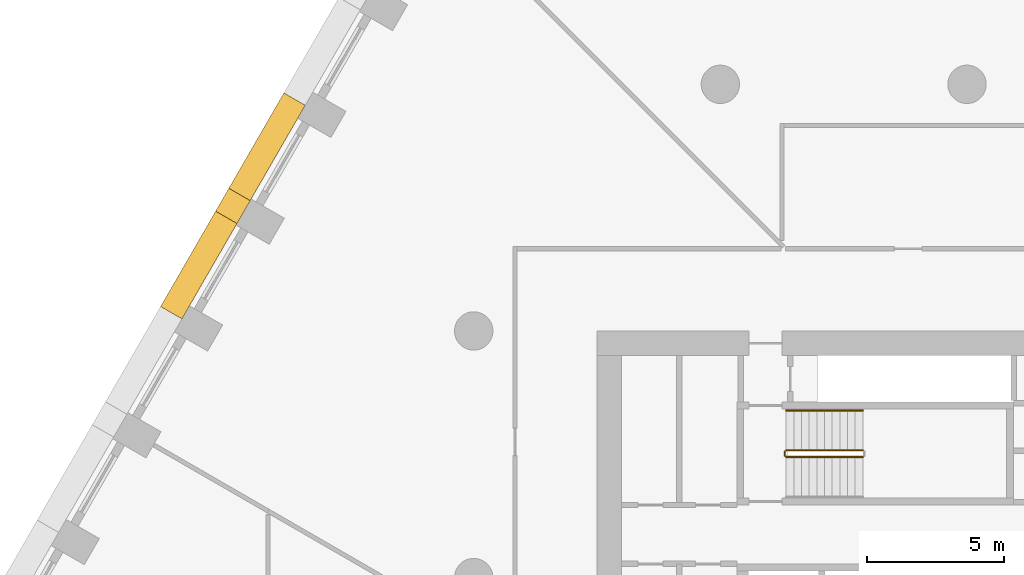
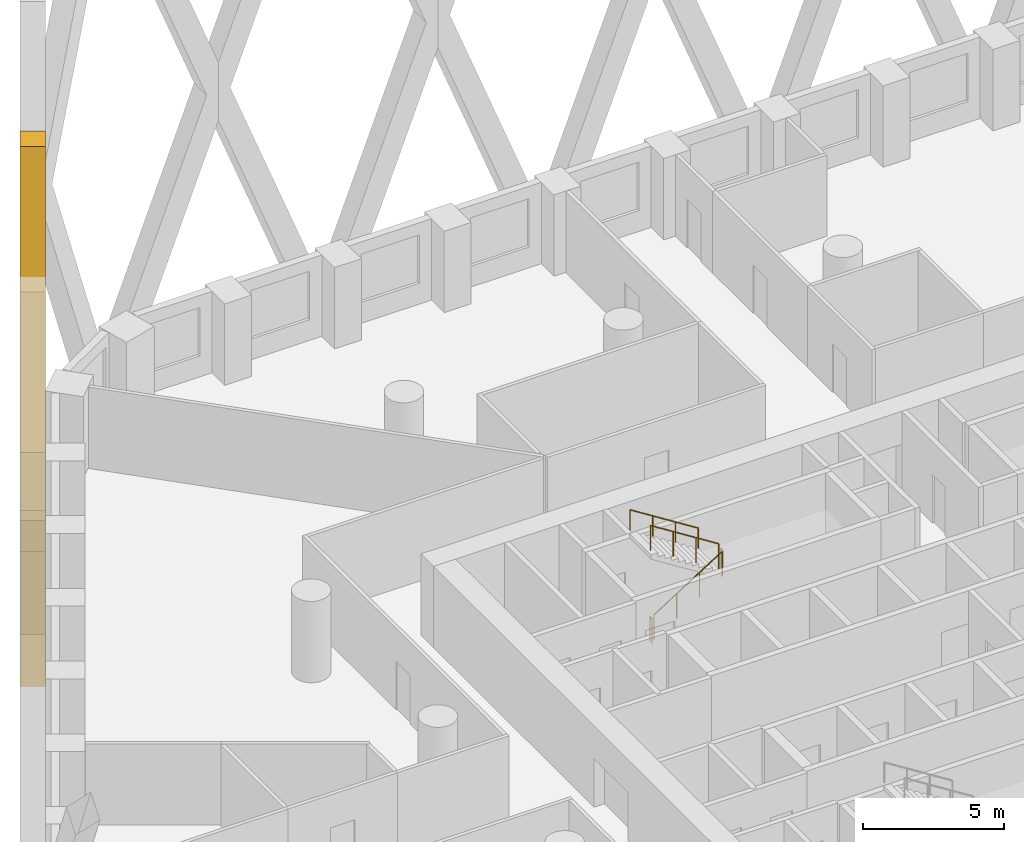
# One storey, part 15 of 18: 4 railings, 1 covering.
"""IFC4 building model written with IfcOpenShell, lengths in metres."""

from ifc_helpers import new_model, si_unit, direction, frame, origin, origin_2d, place, context, subcontext, project, spatial, polyline, circle, outline, extrude, material, type_object, element, save


model = new_model("IFC4")

# Units and contexts
model_context = context("Model", 3, precision=1e-05, world=origin(), true_north=direction((0.0, 1.0)))
body_context = subcontext(model_context, "Body", "Model", "MODEL_VIEW")
ifc_project = project(units=[si_unit("LENGTHUNIT", "METRE"), si_unit("AREAUNIT", "SQUARE_METRE"), si_unit("VOLUMEUNIT", "CUBIC_METRE"), si_unit("PLANEANGLEUNIT", "RADIAN"), si_unit("MASSUNIT", "GRAM", prefix="KILO")], contexts=[model_context])

# Site, building, storey
site_placement = place(None, origin())
site = spatial("IfcSite", under=ifc_project, at=site_placement, CompositionType="ELEMENT")
building_placement = place(site_placement, origin())
building = spatial("IfcBuilding", under=site, at=building_placement, Name="Dhurran Vertical Campus", CompositionType="ELEMENT")
storey_placement = place(building_placement, frame((0.0, 0.0, 53.39990234375)))
storey = spatial("IfcBuildingStorey", under=building, at=storey_placement, Name="L12", CompositionType="ELEMENT", Elevation=53.39990234375)

# Covering
ifc_material_1 = material(Name="Precast concrete C50/60", Category="concrete")
covering_type = type_object("IfcCoveringType", Name="Folded precast fin lattice diamond", PredefinedType="USERDEFINED", material=ifc_material_1)
covering_placement = place(storey_placement, frame((-28.647216796875, 21.735595703125, 0.0), z_axis=(-0.866013897511, 0.50001992892, 0.0), x_axis=(-0.50001992892, -0.866013897511, 0.0)))
element("IfcCovering", 1, at=covering_placement, inside=storey, type_object=covering_type, Name="FN1 L12.024", ObjectType="FIN", PredefinedType="USERDEFINED", context=body_context, shape_type="SweptSolid", body=[
    extrude(outline(polyline([(9.0, 12.95361328125), (9.0, 10.4462890625), (4.982177734375, 0.0), (4.017822265625, 0.0), (0.0, 10.4462890625), (0.0, 12.95361328125), (4.017822265625, 23.39990234375), (4.982177734375, 23.39990234375), (9.0, 12.95361328125)]), holes=[polyline([(8.517822265625, 11.699951171875), (4.5, 22.146484375), (0.482177734375, 11.699951171875), (4.5, 1.253662109375), (8.517822265625, 11.699951171875)])]), origin(), (0.0, 0.0, 1.0), 0.89990234375),
])

# Railings
ifc_material_2 = material(Name="Stainless steel balustrade", Category="steel")
railing_type_1 = type_object("IfcRailingType", Name="co-RL-GUARD-1100", PredefinedType="GUARDRAIL", material=ifc_material_2)
railing_1_placement = place(storey_placement, frame((-11.10009765625, 8.89990234375, 0.177490234375)))
element("IfcRailing", 2, at=railing_1_placement, inside=storey, type_object=railing_type_1, Name="L12 ST1 stair guard 1", PredefinedType="GUARDRAIL", context=body_context, shape_type="SweptSolid", body=[
    extrude(circle(Radius=0.02392578125, at=origin_2d()), frame((0.0, 0.0, 1.076171875), z_axis=(0.844908973607, 0.0, 0.534910110503), x_axis=(0.0, 1.0, 0.0)), (0.0, 0.0, 1.0), 3.31396484375),
    extrude(circle(Radius=0.02099609375, at=origin_2d()), origin(), (0.0, 0.0, 1.0), 1.052001953125),
    extrude(circle(Radius=0.02099609375, at=origin_2d()), frame((0.933349609375, 0.0, 0.5908203125)), (0.0, 0.0, 1.0), 1.052001953125),
    extrude(circle(Radius=0.02099609375, at=origin_2d()), frame((1.86669921875, 0.0, 1.181884765625)), (0.0, 0.0, 1.0), 1.052001953125),
    extrude(circle(Radius=0.02099609375, at=origin_2d()), frame((2.800048828125, 0.0, 1.772705078125)), (0.0, 0.0, 1.0), 1.052001953125),
])
railing_2_placement = place(storey_placement, frame((-8.300048828125, 9.14990234375, 2.12744140625)))
element("IfcRailing", 3, at=railing_2_placement, inside=storey, type_object=railing_type_1, Name="L12 ST1 stair guard 3", PredefinedType="GUARDRAIL", context=body_context, shape_type="SweptSolid", body=[
    extrude(circle(Radius=0.02392578125, at=origin_2d()), frame((0.0, 0.0, 1.076171875), z_axis=(-0.844908973607, 0.0, 0.534910110503), x_axis=(0.0, -1.0, 0.0)), (0.0, 0.0, 1.0), 3.31396484375),
    extrude(circle(Radius=0.02099609375, at=origin_2d()), origin(), (0.0, 0.0, 1.0), 1.052001953125),
    extrude(circle(Radius=0.02099609375, at=origin_2d()), frame((-0.933349609375, 0.0, 0.5908203125)), (0.0, 0.0, 1.0), 1.052001953125),
    extrude(circle(Radius=0.02099609375, at=origin_2d()), frame((-1.86669921875, 0.0, 1.181884765625)), (0.0, 0.0, 1.0), 1.052001953125),
    extrude(circle(Radius=0.02099609375, at=origin_2d()), frame((-2.800048828125, 0.0, 1.772705078125)), (0.0, 0.0, 1.0), 1.052001953125),
])
railing_3_placement = place(storey_placement, frame((-11.14990234375, 8.949951171875, 0.0)))
element("IfcRailing", 4, at=railing_3_placement, inside=storey, type_object=railing_type_1, Name="L12 ST1 stair guard 4", PredefinedType="GUARDRAIL", context=body_context, shape_type="SweptSolid", body=[
    extrude(circle(Radius=0.02392578125, at=origin_2d()), frame((0.0, 0.0, 1.076171875), z_axis=(0.0, 1.0, 0.0), x_axis=(-1.0, 0.0, 0.0)), (0.0, 0.0, 1.0), 0.150146484375),
    extrude(circle(Radius=0.02099609375, at=origin_2d()), origin(), (0.0, 0.0, 1.0), 1.052001953125),
    extrude(circle(Radius=0.02099609375, at=origin_2d()), frame((0.0, 0.150146484375, 0.0)), (0.0, 0.0, 1.0), 1.052001953125),
])
ifc_material_3 = material(Name="Stainless steel handrail", Category="steel")
railing_type_2 = type_object("IfcRailingType", Name="co-RL-HANDRAIL-900", PredefinedType="HANDRAIL", material=ifc_material_3)
railing_4_placement = place(storey_placement, frame((-8.300048828125, 10.60009765625, 2.12744140625)))
element("IfcRailing", 5, at=railing_4_placement, inside=storey, type_object=railing_type_2, Name="L12 ST1 stair handrail 2", PredefinedType="HANDRAIL", context=body_context, shape_type="SweptSolid", body=[
    extrude(circle(Radius=0.02392578125, at=origin_2d()), frame((0.0, 0.0, 0.8759765625), z_axis=(-0.844908973607, 0.0, 0.534910110503), x_axis=(0.0, -1.0, 0.0)), (0.0, 0.0, 1.0), 3.31396484375),
    extrude(circle(Radius=0.02099609375, at=origin_2d()), origin(), (0.0, 0.0, 1.0), 0.851806640625),
    extrude(circle(Radius=0.02099609375, at=origin_2d()), frame((-0.933349609375, 0.0, 0.5908203125)), (0.0, 0.0, 1.0), 0.851806640625),
    extrude(circle(Radius=0.02099609375, at=origin_2d()), frame((-1.86669921875, 0.0, 1.181884765625)), (0.0, 0.0, 1.0), 0.851806640625),
    extrude(circle(Radius=0.02099609375, at=origin_2d()), frame((-2.800048828125, 0.0, 1.772705078125)), (0.0, 0.0, 1.0), 0.851806640625),
])

save(model, "model.ifc")
